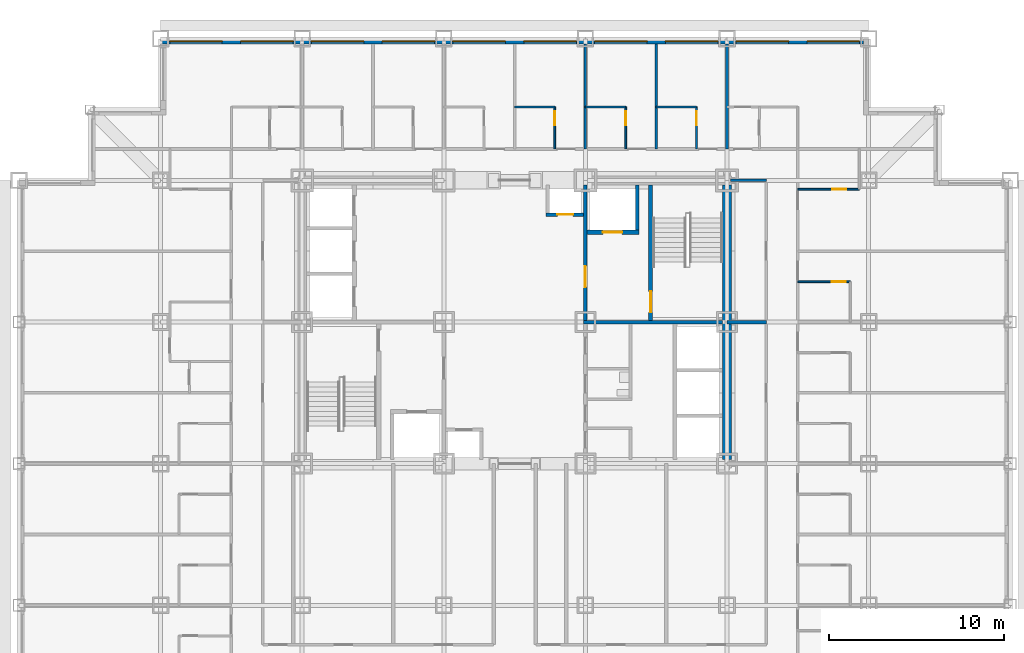
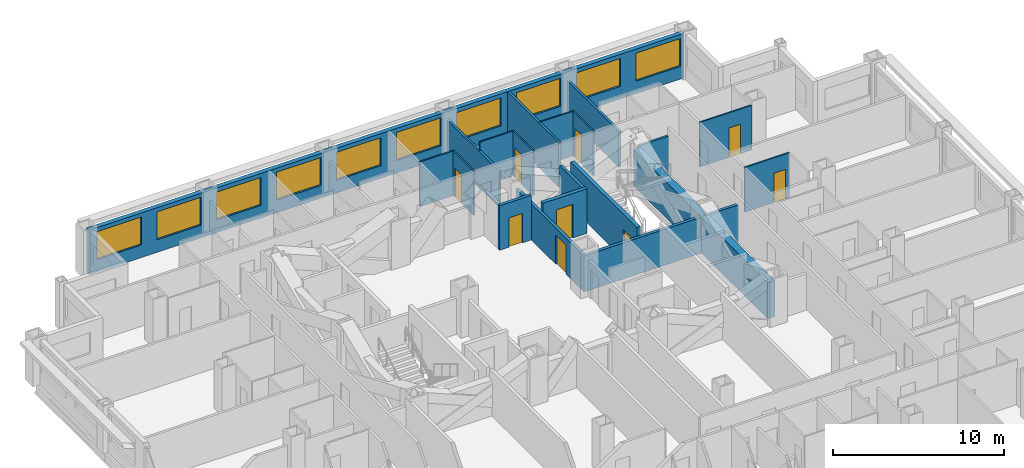
# One storey, part 9 of 12: 21 walls, 10 windows, 9 doors, 19 openings.
"""IFC4 building model written with IfcOpenShell, lengths in metres."""

from ifc_helpers import new_model, si_unit, direction, frame, frame_2d, origin, place, context, subcontext, project, spatial, rectangle, extrude, material, layer, layer_set, type_object, element, fill, save


model = new_model("IFC4")

# Units and contexts
model_context = context("Model", 3, precision=1e-05, world=origin(), true_north=direction((0.0, 1.0)))
body_context = subcontext(model_context, "Body", "Model", "MODEL_VIEW")
ifc_project = project(units=[si_unit("LENGTHUNIT", "METRE"), si_unit("AREAUNIT", "SQUARE_METRE"), si_unit("VOLUMEUNIT", "CUBIC_METRE"), si_unit("PLANEANGLEUNIT", "RADIAN"), si_unit("MASSUNIT", "GRAM", prefix="KILO")], contexts=[model_context])

# Site, building, storey
site_placement = place(None, origin())
site = spatial("IfcSite", under=ifc_project, at=site_placement, CompositionType="ELEMENT")
building_placement = place(site_placement, origin())
building = spatial("IfcBuilding", under=site, at=building_placement, Name="Kopane Lantern Tower", CompositionType="ELEMENT")
storey_placement = place(building_placement, frame((0.0, 0.0, 53.39990234375)))
storey = spatial("IfcBuildingStorey", under=building, at=storey_placement, Name="L12", CompositionType="ELEMENT", Elevation=53.39990234375)

# Wall
ifc_material_1 = material(Name="Moisture-resistant board on steel studs", Category="steel")
ifc_layer_1 = layer(ifc_material_1, 0.10009765625)
ifc_layer_set_1 = layer_set([ifc_layer_1], Name="BATHROOM WALL 100")
wall_type_1 = type_object("IfcWallType", Name="BATHROOM WALL 100", PredefinedType="PARTITIONING", material=ifc_layer_set_1)
wall_1_placement = place(storey_placement, frame((28.35009765625, 44.699951171875, 0.0), z_axis=(0.0, 0.0, 1.0), x_axis=(1.0, 0.0, 0.0)))
element("IfcWall", 1, at=wall_1_placement, inside=storey, type_object=wall_type_1, Name="Bathroom Wall 100 L12", PredefinedType="PARTITIONING", context=body_context, shape_type="SweptSolid", body=[
    extrude(rectangle(XDim=2.2998046875, YDim=0.10009765625, at=frame_2d((1.14990234375, 0.0))), origin(), (0.0, 0.0, 1.0), 3.190185546875),
])

# Wall, opening, door
wall_2_placement = place(storey_placement, frame((30.64990234375, 42.300048828125, 0.0), z_axis=(0.0, 0.0, 1.0), x_axis=(0.0, 1.0, 0.0)))
wall_2 = element("IfcWall", 2, at=wall_2_placement, inside=storey, type_object=wall_type_1, Name="Bathroom Wall 100 L12", PredefinedType="PARTITIONING", context=body_context, shape_type="SweptSolid", body=[
    extrude(rectangle(XDim=2.39990234375, YDim=0.10009765625, at=frame_2d((1.199951171875, 0.0))), origin(), (0.0, 0.0, 1.0), 3.190185546875),
])
opening_1_placement = place(wall_2_placement, frame((1.35009765625, 0.0, 0.0)))
opening_1 = element("IfcOpeningElement", 3, at=opening_1_placement, cuts=wall_2, Name="Opening L12-029", PredefinedType="OPENING", context=body_context, shape_type="SweptSolid", body=[
    extrude(rectangle(XDim=0.800048828125, YDim=2.10009765625, at=frame_2d((0.39990234375, 1.050048828125))), frame((0.0, 0.06005859375, 0.0), z_axis=(0.0, -1.0, 0.0), x_axis=(1.0, 0.0, 0.0)), (0.0, 0.0, 1.0), 0.1201171875),
])
ifc_material_2 = material(Name="Timber door set", Category="wood")
door_type_1 = type_object("IfcDoorType", Name="DOOR D2 800x2100", OperationType="SINGLE_SWING_LEFT", PredefinedType="DOOR", material=ifc_material_2)
door_1_placement = place(opening_1_placement, origin())
door_1 = element("IfcDoor", 4, at=door_1_placement, inside=storey, type_object=door_type_1, Name="Door L12-029", OperationType="SINGLE_SWING_RIGHT", OverallHeight=2.10009765625, OverallWidth=0.800048828125, PredefinedType="DOOR", context=body_context, shape_type="SweptSolid", body=[
    extrude(rectangle(XDim=0.800048828125, YDim=2.10009765625, at=frame_2d((0.39990234375, 1.050048828125))), frame((0.0, 0.02490234375, 0.0), z_axis=(0.0, -1.0, 0.0), x_axis=(1.0, 0.0, 0.0)), (0.0, 0.0, 1.0), 0.050048828125),
])
fill(opening_1, door_1)

# Wall
wall_3_placement = place(storey_placement, frame((32.39990234375, 44.699951171875, 0.0), z_axis=(0.0, 0.0, 1.0), x_axis=(1.0, 0.0, 0.0)))
element("IfcWall", 5, at=wall_3_placement, inside=storey, type_object=wall_type_1, Name="Bathroom Wall 100 L12", PredefinedType="PARTITIONING", context=body_context, shape_type="SweptSolid", body=[
    extrude(rectangle(XDim=2.300048828125, YDim=0.10009765625, at=frame_2d((1.14990234375, 0.0))), origin(), (0.0, 0.0, 1.0), 3.190185546875),
])

# Wall, opening, door
wall_4_placement = place(storey_placement, frame((34.699951171875, 42.300048828125, 0.0), z_axis=(0.0, 0.0, 1.0), x_axis=(0.0, 1.0, 0.0)))
wall_4 = element("IfcWall", 6, at=wall_4_placement, inside=storey, type_object=wall_type_1, Name="Bathroom Wall 100 L12", PredefinedType="PARTITIONING", context=body_context, shape_type="SweptSolid", body=[
    extrude(rectangle(XDim=2.39990234375, YDim=0.10009765625, at=frame_2d((1.199951171875, 0.0))), origin(), (0.0, 0.0, 1.0), 3.190185546875),
])
opening_2_placement = place(wall_4_placement, frame((1.35009765625, 0.0, 0.0)))
opening_2 = element("IfcOpeningElement", 7, at=opening_2_placement, cuts=wall_4, Name="Opening L12-031", PredefinedType="OPENING", context=body_context, shape_type="SweptSolid", body=[
    extrude(rectangle(XDim=0.800048828125, YDim=2.10009765625, at=frame_2d((0.39990234375, 1.050048828125))), frame((0.0, 0.06005859375, 0.0), z_axis=(0.0, -1.0, 0.0), x_axis=(1.0, 0.0, 0.0)), (0.0, 0.0, 1.0), 0.1201171875),
])
door_2_placement = place(opening_2_placement, origin())
door_2 = element("IfcDoor", 8, at=door_2_placement, inside=storey, type_object=door_type_1, Name="Door L12-031", OperationType="SINGLE_SWING_RIGHT", OverallHeight=2.10009765625, OverallWidth=0.800048828125, PredefinedType="DOOR", context=body_context, shape_type="SweptSolid", body=[
    extrude(rectangle(XDim=0.800048828125, YDim=2.10009765625, at=frame_2d((0.39990234375, 1.050048828125))), frame((0.0, 0.02490234375, 0.0), z_axis=(0.0, -1.0, 0.0), x_axis=(1.0, 0.0, 0.0)), (0.0, 0.0, 1.0), 0.050048828125),
])
fill(opening_2, door_2)

# Wall
wall_5_placement = place(storey_placement, frame((36.449951171875, 44.699951171875, 0.0), z_axis=(0.0, 0.0, 1.0), x_axis=(1.0, 0.0, 0.0)))
element("IfcWall", 9, at=wall_5_placement, inside=storey, type_object=wall_type_1, Name="Bathroom Wall 100 L12", PredefinedType="PARTITIONING", context=body_context, shape_type="SweptSolid", body=[
    extrude(rectangle(XDim=2.300048828125, YDim=0.10009765625, at=frame_2d((1.14990234375, 0.0))), origin(), (0.0, 0.0, 1.0), 3.190185546875),
])

# Wall, opening, door
wall_6_placement = place(storey_placement, frame((38.75, 42.300048828125, 0.0), z_axis=(0.0, 0.0, 1.0), x_axis=(0.0, 1.0, 0.0)))
wall_6 = element("IfcWall", 10, at=wall_6_placement, inside=storey, type_object=wall_type_1, Name="Bathroom Wall 100 L12", PredefinedType="PARTITIONING", context=body_context, shape_type="SweptSolid", body=[
    extrude(rectangle(XDim=2.39990234375, YDim=0.10009765625, at=frame_2d((1.199951171875, 0.0))), origin(), (0.0, 0.0, 1.0), 3.190185546875),
])
opening_3_placement = place(wall_6_placement, frame((1.35009765625, 0.0, 0.0)))
opening_3 = element("IfcOpeningElement", 11, at=opening_3_placement, cuts=wall_6, Name="Opening L12-033", PredefinedType="OPENING", context=body_context, shape_type="SweptSolid", body=[
    extrude(rectangle(XDim=0.800048828125, YDim=2.10009765625, at=frame_2d((0.39990234375, 1.050048828125))), frame((0.0, 0.06005859375, 0.0), z_axis=(0.0, -1.0, 0.0), x_axis=(1.0, 0.0, 0.0)), (0.0, 0.0, 1.0), 0.1201171875),
])
door_3_placement = place(opening_3_placement, origin())
door_3 = element("IfcDoor", 12, at=door_3_placement, inside=storey, type_object=door_type_1, Name="Door L12-033", OperationType="SINGLE_SWING_RIGHT", OverallHeight=2.10009765625, OverallWidth=0.800048828125, PredefinedType="DOOR", context=body_context, shape_type="SweptSolid", body=[
    extrude(rectangle(XDim=0.800048828125, YDim=2.10009765625, at=frame_2d((0.39990234375, 1.050048828125))), frame((0.0, 0.02490234375, 0.0), z_axis=(0.0, -1.0, 0.0), x_axis=(1.0, 0.0, 0.0)), (0.0, 0.0, 1.0), 0.050048828125),
])
fill(opening_3, door_3)

wall_7_placement = place(storey_placement, frame((44.550048828125, 34.699951171875, 0.0), z_axis=(0.0, 0.0, 1.0), x_axis=(1.0, 0.0, 0.0)))
wall_7 = element("IfcWall", 13, at=wall_7_placement, inside=storey, type_object=wall_type_1, Name="Bathroom Wall 100 L12", PredefinedType="PARTITIONING", context=body_context, shape_type="SweptSolid", body=[
    extrude(rectangle(XDim=3.0, YDim=0.10009765625, at=frame_2d((1.5, 0.0))), origin(), (0.0, 0.0, 1.0), 3.190185546875),
])
opening_4_placement = place(wall_7_placement, frame((1.949951171875, 0.0, 0.0)))
opening_4 = element("IfcOpeningElement", 14, at=opening_4_placement, cuts=wall_7, Name="Opening L12-058", PredefinedType="OPENING", context=body_context, shape_type="SweptSolid", body=[
    extrude(rectangle(XDim=0.800048828125, YDim=2.10009765625, at=frame_2d((0.39990234375, 1.050048828125))), frame((0.0, 0.06005859375, 0.0), z_axis=(0.0, -1.0, 0.0), x_axis=(1.0, 0.0, 0.0)), (0.0, 0.0, 1.0), 0.1201171875),
])
door_4_placement = place(opening_4_placement, origin())
door_4 = element("IfcDoor", 15, at=door_4_placement, inside=storey, type_object=door_type_1, Name="Door L12-058", OperationType="SINGLE_SWING_LEFT", OverallHeight=2.10009765625, OverallWidth=0.800048828125, PredefinedType="DOOR", context=body_context, shape_type="SweptSolid", body=[
    extrude(rectangle(XDim=0.800048828125, YDim=2.10009765625, at=frame_2d((0.39990234375, 1.050048828125))), frame((0.0, 0.02490234375, 0.0), z_axis=(0.0, -1.0, 0.0), x_axis=(1.0, 0.0, 0.0)), (0.0, 0.0, 1.0), 0.050048828125),
])
fill(opening_4, door_4)

wall_8_placement = place(storey_placement, frame((44.550048828125, 40.0, 0.0), z_axis=(0.0, 0.0, 1.0), x_axis=(1.0, 0.0, 0.0)))
wall_8 = element("IfcWall", 16, at=wall_8_placement, inside=storey, type_object=wall_type_1, Name="Bathroom Wall 100 L12", PredefinedType="PARTITIONING", context=body_context, shape_type="SweptSolid", body=[
    extrude(rectangle(XDim=3.514892578125, YDim=0.10009765625, at=frame_2d((1.75732421875, 0.0))), origin(), (0.0, 0.0, 1.0), 3.190185546875),
])
opening_5_placement = place(wall_8_placement, frame((1.965087890625, 0.0, 0.0)))
opening_5 = element("IfcOpeningElement", 17, at=opening_5_placement, cuts=wall_8, Name="Opening L12-060", PredefinedType="OPENING", context=body_context, shape_type="SweptSolid", body=[
    extrude(rectangle(XDim=0.800048828125, YDim=2.10009765625, at=frame_2d((0.39990234375, 1.050048828125))), frame((0.0, 0.06005859375, 0.0), z_axis=(0.0, -1.0, 0.0), x_axis=(1.0, 0.0, 0.0)), (0.0, 0.0, 1.0), 0.1201171875),
])
door_5_placement = place(opening_5_placement, origin())
door_5 = element("IfcDoor", 18, at=door_5_placement, inside=storey, type_object=door_type_1, Name="Door L12-060", OperationType="SINGLE_SWING_RIGHT", OverallHeight=2.10009765625, OverallWidth=0.800048828125, PredefinedType="DOOR", context=body_context, shape_type="SweptSolid", body=[
    extrude(rectangle(XDim=0.800048828125, YDim=2.10009765625, at=frame_2d((0.39990234375, 1.050048828125))), frame((0.0, 0.02490234375, 0.0), z_axis=(0.0, -1.0, 0.0), x_axis=(1.0, 0.0, 0.0)), (0.0, 0.0, 1.0), 0.050048828125),
])
fill(opening_5, door_5)

# Wall
ifc_material_3 = material(Name="Gypsum shaft wall EI 120", Category="gypsum")
ifc_layer_2 = layer(ifc_material_3, 0.5)
ifc_layer_set_2 = layer_set([ifc_layer_2], Name="CORE PERIMETER WALL 500 EI 120")
wall_type_2 = type_object("IfcWallType", Name="CORE PERIMETER WALL 500 EI 120", PredefinedType="SOLIDWALL", material=ifc_layer_set_2)
wall_9_placement = place(storey_placement, frame((40.5, 24.550048828125, 0.0), z_axis=(0.0, 0.0, 1.0), x_axis=(0.0, 1.0, 0.0)))
element("IfcWall", 19, at=wall_9_placement, inside=storey, type_object=wall_type_2, Name="Core shaft wall L12 PE", PredefinedType="SOLIDWALL", context=body_context, shape_type="SweptSolid", body=[
    extrude(rectangle(XDim=15.699951171875, YDim=0.5, at=frame_2d((7.85009765625, 0.0))), origin(), (0.0, 0.0, 1.0), 2.577880859375),
])

# Wall, opening, door
ifc_material_4 = material(Name="Gypsum shaft wall EI 120", Category="gypsum")
ifc_layer_3 = layer(ifc_material_4, 0.25)
ifc_layer_set_3 = layer_set([ifc_layer_3], Name="CORE SHAFT WALL 250 EI 120")
wall_type_3 = type_object("IfcWallType", Name="CORE SHAFT WALL 250 EI 120", PredefinedType="SOLIDWALL", material=ifc_layer_set_3)
wall_10_placement = place(storey_placement, frame((36.125, 32.5, 0.0), z_axis=(0.0, 0.0, 1.0), x_axis=(0.0, 1.0, 0.0)))
wall_10 = element("IfcWall", 20, at=wall_10_placement, inside=storey, type_object=wall_type_3, Name="Core shaft wall L12 XST2", PredefinedType="SOLIDWALL", context=body_context, shape_type="SweptSolid", body=[
    extrude(rectangle(XDim=7.75, YDim=0.25, at=frame_2d((3.875, 0.0))), origin(), (0.0, 0.0, 1.0), 3.190185546875),
])
opening_6_placement = place(wall_10_placement, frame((0.449951171875, 0.0, 0.0)))
opening_6 = element("IfcOpeningElement", 21, at=opening_6_placement, cuts=wall_10, Name="Opening 12.SD2", PredefinedType="OPENING", context=body_context, shape_type="SweptSolid", body=[
    extrude(rectangle(XDim=1.199951171875, YDim=2.10009765625, at=frame_2d((0.60009765625, 1.050048828125))), frame((0.0, 0.135009765625, 0.0), z_axis=(0.0, -1.0, 0.0), x_axis=(1.0, 0.0, 0.0)), (0.0, 0.0, 1.0), 0.27001953125),
])
ifc_material_5 = material(Name="Steel door set", Category="steel")
door_type_2 = type_object("IfcDoorType", Name="STAIR DOOR 1200x2100 FD60S", OperationType="SINGLE_SWING_LEFT", PredefinedType="DOOR", material=ifc_material_5)
door_6_placement = place(opening_6_placement, origin())
door_6 = element("IfcDoor", 22, at=door_6_placement, inside=storey, type_object=door_type_2, Name="Stair door ST2 L12", OperationType="SINGLE_SWING_RIGHT", OverallHeight=2.10009765625, OverallWidth=1.199951171875, PredefinedType="DOOR", context=body_context, shape_type="SweptSolid", body=[
    extrude(rectangle(XDim=1.199951171875, YDim=2.10009765625, at=frame_2d((0.60009765625, 1.050048828125))), frame((0.0, 0.02490234375, 0.0), z_axis=(0.0, -1.0, 0.0), x_axis=(1.0, 0.0, 0.0)), (0.0, 0.0, 1.0), 0.050048828125),
])
fill(opening_6, door_6)

wall_11_placement = place(storey_placement, frame((32.5, 37.52490234375, 0.0), z_axis=(0.0, 0.0, 1.0), x_axis=(1.0, 0.0, 0.0)))
wall_11 = element("IfcWall", 23, at=wall_11_placement, inside=storey, type_object=wall_type_3, Name="Core shaft wall L12 YLF2", PredefinedType="SOLIDWALL", context=body_context, shape_type="SweptSolid", body=[
    extrude(rectangle(XDim=2.949951171875, YDim=0.25, at=frame_2d((1.47509765625, 0.0))), origin(), (0.0, 0.0, 1.0), 3.190185546875),
])
opening_7_placement = place(wall_11_placement, frame((0.89990234375, 0.0, 0.0)))
opening_7 = element("IfcOpeningElement", 24, at=opening_7_placement, cuts=wall_11, Name="Opening 12.LD-LF2", PredefinedType="OPENING", context=body_context, shape_type="SweptSolid", body=[
    extrude(rectangle(XDim=1.10009765625, YDim=2.39990234375, at=frame_2d((0.550048828125, 1.199951171875))), frame((0.0, 0.135009765625, 0.0), z_axis=(0.0, -1.0, 0.0), x_axis=(1.0, 0.0, 0.0)), (0.0, 0.0, 1.0), 0.27001953125),
])
ifc_material_6 = material(Name="Steel door set", Category="steel")
door_type_3 = type_object("IfcDoorType", Name="LIFT LANDING DOOR 1100x2400 FD60", OperationType="DOUBLE_DOOR_SLIDING", PredefinedType="DOOR", material=ifc_material_6)
door_7_placement = place(opening_7_placement, origin())
door_7 = element("IfcDoor", 25, at=door_7_placement, inside=storey, type_object=door_type_3, Name="Landing door LF2 L12", OperationType="DOUBLE_DOOR_SLIDING", OverallHeight=2.39990234375, OverallWidth=1.10009765625, PredefinedType="DOOR", context=body_context, shape_type="SweptSolid", body=[
    extrude(rectangle(XDim=1.10009765625, YDim=2.39990234375, at=frame_2d((0.550048828125, 1.199951171875))), frame((0.0, 0.02490234375, 0.0), z_axis=(0.0, -1.0, 0.0), x_axis=(1.0, 0.0, 0.0)), (0.0, 0.0, 1.0), 0.050048828125),
])
fill(opening_7, door_7)

# Walls
ifc_material_7 = material(Name="Gypsum board on steel studs", Category="steel")
ifc_layer_4 = layer(ifc_material_7, 0.14990234375)
ifc_layer_set_4 = layer_set([ifc_layer_4], Name="CORRIDOR WALL 150 EI 60")
wall_type_4 = type_object("IfcWallType", Name="CORRIDOR WALL 150 EI 60", PredefinedType="PARTITIONING", material=ifc_layer_set_4)
wall_12_placement = place(storey_placement, frame((42.75, 40.5, 0.0), z_axis=(0.0, 0.0, 1.0), x_axis=(-1.0, 0.0, 0.0)))
element("IfcWall", 26, at=wall_12_placement, inside=storey, type_object=wall_type_4, Name="Corridor Wall 150 Ei 60 L12", PredefinedType="PARTITIONING", context=body_context, shape_type="SweptSolid", body=[
    extrude(rectangle(XDim=2.050048828125, YDim=0.14990234375, at=frame_2d((1.02490234375, 0.0))), origin(), (0.0, 0.0, 1.0), 2.577880859375),
])
ifc_material_8 = material(Name="Gypsum board on steel studs", Category="steel")
ifc_layer_5 = layer(ifc_material_8, 0.14990234375)
ifc_layer_set_5 = layer_set([ifc_layer_5], Name="DEMISING WALL 150 EI 60")
wall_type_5 = type_object("IfcWallType", Name="DEMISING WALL 150 EI 60", PredefinedType="PARTITIONING", material=ifc_layer_set_5)
wall_13_placement = place(storey_placement, frame((32.39990234375, 42.300048828125, 0.0), z_axis=(0.0, 0.0, 1.0), x_axis=(0.0, 1.0, 0.0)))
element("IfcWall", 27, at=wall_13_placement, inside=storey, type_object=wall_type_5, Name="Demising Wall 150 Ei 60 L12", PredefinedType="PARTITIONING", context=body_context, shape_type="SweptSolid", body=[
    extrude(rectangle(XDim=6.0, YDim=0.14990234375, at=frame_2d((3.0, 0.0))), origin(), (0.0, 0.0, 1.0), 2.577880859375),
])
wall_14_placement = place(storey_placement, frame((36.449951171875, 42.300048828125, 0.0), z_axis=(0.0, 0.0, 1.0), x_axis=(0.0, 1.0, 0.0)))
element("IfcWall", 28, at=wall_14_placement, inside=storey, type_object=wall_type_5, Name="Demising Wall 150 Ei 60 L12", PredefinedType="PARTITIONING", context=body_context, shape_type="SweptSolid", body=[
    extrude(rectangle(XDim=6.0, YDim=0.14990234375, at=frame_2d((3.0, 0.0))), origin(), (0.0, 0.0, 1.0), 3.190185546875),
])
wall_15_placement = place(storey_placement, frame((40.5, 42.300048828125, 0.0), z_axis=(0.0, 0.0, 1.0), x_axis=(0.0, 1.0, 0.0)))
element("IfcWall", 29, at=wall_15_placement, inside=storey, type_object=wall_type_5, Name="Demising Wall 150 Ei 60 L12", PredefinedType="PARTITIONING", context=body_context, shape_type="SweptSolid", body=[
    extrude(rectangle(XDim=6.0, YDim=0.14990234375, at=frame_2d((3.0, 0.0))), origin(), (0.0, 0.0, 1.0), 2.577880859375),
])

# Wall, openings, windows
ifc_material_9 = material(Name="Terracotta rainscreen on light steel framing", Category="masonry")
ifc_layer_6 = layer(ifc_material_9, 0.300048828125)
ifc_layer_set_6 = layer_set([ifc_layer_6], Name="EXTERNAL WALL EW1 300 TERRACOTTA")
wall_type_6 = type_object("IfcWallType", Name="EXTERNAL WALL EW1 300 TERRACOTTA", PredefinedType="SOLIDWALL", material=ifc_layer_set_6)
wall_16_placement = place(storey_placement, frame((48.300048828125, 48.449951171875, 0.0), z_axis=(0.0, 0.0, 1.0), x_axis=(-1.0, 0.0, 0.0)))
wall_16 = element("IfcWall", 30, at=wall_16_placement, inside=storey, type_object=wall_type_6, Name="External wall N L12", PredefinedType="SOLIDWALL", context=body_context, shape_type="SweptSolid", body=[
    extrude(rectangle(XDim=40.199951171875, YDim=0.300048828125, at=frame_2d((20.10009765625, 0.0))), origin(), (0.0, 0.0, 1.0), 3.190185546875),
])
opening_8_placement = place(wall_16_placement, frame((0.22509765625, 0.0, 0.89990234375)))
opening_8 = element("IfcOpeningElement", 31, at=opening_8_placement, cuts=wall_16, Name="Opening WR300200", PredefinedType="OPENING", context=body_context, shape_type="SweptSolid", body=[
    extrude(rectangle(XDim=3.0, YDim=2.0, at=frame_2d((1.5, 1.0))), frame((0.0, 0.159912109375, 0.0), z_axis=(0.0, -1.0, 0.0), x_axis=(1.0, 0.0, 0.0)), (0.0, 0.0, 1.0), 0.320068359375),
])
opening_9_placement = place(wall_16_placement, frame((4.27490234375, 0.0, 0.89990234375)))
opening_9 = element("IfcOpeningElement", 32, at=opening_9_placement, cuts=wall_16, Name="Opening WR300200", PredefinedType="OPENING", context=body_context, shape_type="SweptSolid", body=[
    extrude(rectangle(XDim=3.0, YDim=2.0, at=frame_2d((1.5, 1.0))), frame((0.0, 0.159912109375, 0.0), z_axis=(0.0, -1.0, 0.0), x_axis=(1.0, 0.0, 0.0)), (0.0, 0.0, 1.0), 0.320068359375),
])
opening_10_placement = place(wall_16_placement, frame((8.324951171875, 0.0, 0.89990234375)))
opening_10 = element("IfcOpeningElement", 33, at=opening_10_placement, cuts=wall_16, Name="Opening WR300200", PredefinedType="OPENING", context=body_context, shape_type="SweptSolid", body=[
    extrude(rectangle(XDim=3.0, YDim=2.0, at=frame_2d((1.5, 1.0))), frame((0.0, 0.159912109375, 0.0), z_axis=(0.0, -1.0, 0.0), x_axis=(1.0, 0.0, 0.0)), (0.0, 0.0, 1.0), 0.320068359375),
])
opening_11_placement = place(wall_16_placement, frame((12.375, 0.0, 0.89990234375)))
opening_11 = element("IfcOpeningElement", 34, at=opening_11_placement, cuts=wall_16, Name="Opening WR300200", PredefinedType="OPENING", context=body_context, shape_type="SweptSolid", body=[
    extrude(rectangle(XDim=3.0, YDim=2.0, at=frame_2d((1.5, 1.0))), frame((0.0, 0.159912109375, 0.0), z_axis=(0.0, -1.0, 0.0), x_axis=(1.0, 0.0, 0.0)), (0.0, 0.0, 1.0), 0.320068359375),
])
opening_12_placement = place(wall_16_placement, frame((16.425048828125, 0.0, 0.89990234375)))
opening_12 = element("IfcOpeningElement", 35, at=opening_12_placement, cuts=wall_16, Name="Opening WR300200", PredefinedType="OPENING", context=body_context, shape_type="SweptSolid", body=[
    extrude(rectangle(XDim=3.0, YDim=2.0, at=frame_2d((1.5, 1.0))), frame((0.0, 0.159912109375, 0.0), z_axis=(0.0, -1.0, 0.0), x_axis=(1.0, 0.0, 0.0)), (0.0, 0.0, 1.0), 0.320068359375),
])
opening_13_placement = place(wall_16_placement, frame((20.47509765625, 0.0, 0.89990234375)))
opening_13 = element("IfcOpeningElement", 36, at=opening_13_placement, cuts=wall_16, Name="Opening WR300200", PredefinedType="OPENING", context=body_context, shape_type="SweptSolid", body=[
    extrude(rectangle(XDim=3.0, YDim=2.0, at=frame_2d((1.5, 1.0))), frame((0.0, 0.159912109375, 0.0), z_axis=(0.0, -1.0, 0.0), x_axis=(1.0, 0.0, 0.0)), (0.0, 0.0, 1.0), 0.320068359375),
])
opening_14_placement = place(wall_16_placement, frame((24.52490234375, 0.0, 0.89990234375)))
opening_14 = element("IfcOpeningElement", 37, at=opening_14_placement, cuts=wall_16, Name="Opening WR300200", PredefinedType="OPENING", context=body_context, shape_type="SweptSolid", body=[
    extrude(rectangle(XDim=3.0, YDim=2.0, at=frame_2d((1.5, 1.0))), frame((0.0, 0.159912109375, 0.0), z_axis=(0.0, -1.0, 0.0), x_axis=(1.0, 0.0, 0.0)), (0.0, 0.0, 1.0), 0.320068359375),
])
opening_15_placement = place(wall_16_placement, frame((28.574951171875, 0.0, 0.89990234375)))
opening_15 = element("IfcOpeningElement", 38, at=opening_15_placement, cuts=wall_16, Name="Opening WR300200", PredefinedType="OPENING", context=body_context, shape_type="SweptSolid", body=[
    extrude(rectangle(XDim=3.0, YDim=2.0, at=frame_2d((1.5, 1.0))), frame((0.0, 0.159912109375, 0.0), z_axis=(0.0, -1.0, 0.0), x_axis=(1.0, 0.0, 0.0)), (0.0, 0.0, 1.0), 0.320068359375),
])
opening_16_placement = place(wall_16_placement, frame((32.625, 0.0, 0.89990234375)))
opening_16 = element("IfcOpeningElement", 39, at=opening_16_placement, cuts=wall_16, Name="Opening WR300200", PredefinedType="OPENING", context=body_context, shape_type="SweptSolid", body=[
    extrude(rectangle(XDim=3.0, YDim=2.0, at=frame_2d((1.5, 1.0))), frame((0.0, 0.159912109375, 0.0), z_axis=(0.0, -1.0, 0.0), x_axis=(1.0, 0.0, 0.0)), (0.0, 0.0, 1.0), 0.320068359375),
])
opening_17_placement = place(wall_16_placement, frame((36.675048828125, 0.0, 0.89990234375)))
opening_17 = element("IfcOpeningElement", 40, at=opening_17_placement, cuts=wall_16, Name="Opening WR300200", PredefinedType="OPENING", context=body_context, shape_type="SweptSolid", body=[
    extrude(rectangle(XDim=3.0, YDim=2.0, at=frame_2d((1.5, 1.0))), frame((0.0, 0.159912109375, 0.0), z_axis=(0.0, -1.0, 0.0), x_axis=(1.0, 0.0, 0.0)), (0.0, 0.0, 1.0), 0.320068359375),
])
ifc_material_10 = material(Name="Aluminium and clear glass", Category="aluminium")
window_type = type_object("IfcWindowType", Name="RIBBON WINDOW WR300200 3000x2000", PartitioningType="SINGLE_PANEL", PredefinedType="WINDOW", material=ifc_material_10)
window_1_placement = place(opening_8_placement, origin())
window_1 = element("IfcWindow", 41, at=window_1_placement, inside=storey, type_object=window_type, Name="Window N L12", OverallHeight=2.0, OverallWidth=3.0, PartitioningType="SINGLE_PANEL", PredefinedType="WINDOW", context=body_context, shape_type="SweptSolid", body=[
    extrude(rectangle(XDim=3.0, YDim=2.0, at=frame_2d((1.5, 1.0))), frame((0.0, 0.030029296875, 0.0), z_axis=(0.0, -1.0, 0.0), x_axis=(1.0, 0.0, 0.0)), (0.0, 0.0, 1.0), 0.06005859375),
])
fill(opening_8, window_1)
window_2_placement = place(opening_9_placement, origin())
window_2 = element("IfcWindow", 42, at=window_2_placement, inside=storey, type_object=window_type, Name="Window N L12", OverallHeight=2.0, OverallWidth=3.0, PartitioningType="SINGLE_PANEL", PredefinedType="WINDOW", context=body_context, shape_type="SweptSolid", body=[
    extrude(rectangle(XDim=3.0, YDim=2.0, at=frame_2d((1.5, 1.0))), frame((0.0, 0.030029296875, 0.0), z_axis=(0.0, -1.0, 0.0), x_axis=(1.0, 0.0, 0.0)), (0.0, 0.0, 1.0), 0.06005859375),
])
fill(opening_9, window_2)
window_3_placement = place(opening_10_placement, origin())
window_3 = element("IfcWindow", 43, at=window_3_placement, inside=storey, type_object=window_type, Name="Window N L12", OverallHeight=2.0, OverallWidth=3.0, PartitioningType="SINGLE_PANEL", PredefinedType="WINDOW", context=body_context, shape_type="SweptSolid", body=[
    extrude(rectangle(XDim=3.0, YDim=2.0, at=frame_2d((1.5, 1.0))), frame((0.0, 0.030029296875, 0.0), z_axis=(0.0, -1.0, 0.0), x_axis=(1.0, 0.0, 0.0)), (0.0, 0.0, 1.0), 0.06005859375),
])
fill(opening_10, window_3)
window_4_placement = place(opening_11_placement, origin())
window_4 = element("IfcWindow", 44, at=window_4_placement, inside=storey, type_object=window_type, Name="Window N L12", OverallHeight=2.0, OverallWidth=3.0, PartitioningType="SINGLE_PANEL", PredefinedType="WINDOW", context=body_context, shape_type="SweptSolid", body=[
    extrude(rectangle(XDim=3.0, YDim=2.0, at=frame_2d((1.5, 1.0))), frame((0.0, 0.030029296875, 0.0), z_axis=(0.0, -1.0, 0.0), x_axis=(1.0, 0.0, 0.0)), (0.0, 0.0, 1.0), 0.06005859375),
])
fill(opening_11, window_4)
window_5_placement = place(opening_12_placement, origin())
window_5 = element("IfcWindow", 45, at=window_5_placement, inside=storey, type_object=window_type, Name="Window N L12", OverallHeight=2.0, OverallWidth=3.0, PartitioningType="SINGLE_PANEL", PredefinedType="WINDOW", context=body_context, shape_type="SweptSolid", body=[
    extrude(rectangle(XDim=3.0, YDim=2.0, at=frame_2d((1.5, 1.0))), frame((0.0, 0.030029296875, 0.0), z_axis=(0.0, -1.0, 0.0), x_axis=(1.0, 0.0, 0.0)), (0.0, 0.0, 1.0), 0.06005859375),
])
fill(opening_12, window_5)
window_6_placement = place(opening_13_placement, origin())
window_6 = element("IfcWindow", 46, at=window_6_placement, inside=storey, type_object=window_type, Name="Window N L12", OverallHeight=2.0, OverallWidth=3.0, PartitioningType="SINGLE_PANEL", PredefinedType="WINDOW", context=body_context, shape_type="SweptSolid", body=[
    extrude(rectangle(XDim=3.0, YDim=2.0, at=frame_2d((1.5, 1.0))), frame((0.0, 0.030029296875, 0.0), z_axis=(0.0, -1.0, 0.0), x_axis=(1.0, 0.0, 0.0)), (0.0, 0.0, 1.0), 0.06005859375),
])
fill(opening_13, window_6)
window_7_placement = place(opening_14_placement, origin())
window_7 = element("IfcWindow", 47, at=window_7_placement, inside=storey, type_object=window_type, Name="Window N L12", OverallHeight=2.0, OverallWidth=3.0, PartitioningType="SINGLE_PANEL", PredefinedType="WINDOW", context=body_context, shape_type="SweptSolid", body=[
    extrude(rectangle(XDim=3.0, YDim=2.0, at=frame_2d((1.5, 1.0))), frame((0.0, 0.030029296875, 0.0), z_axis=(0.0, -1.0, 0.0), x_axis=(1.0, 0.0, 0.0)), (0.0, 0.0, 1.0), 0.06005859375),
])
fill(opening_14, window_7)
window_8_placement = place(opening_15_placement, origin())
window_8 = element("IfcWindow", 48, at=window_8_placement, inside=storey, type_object=window_type, Name="Window N L12", OverallHeight=2.0, OverallWidth=3.0, PartitioningType="SINGLE_PANEL", PredefinedType="WINDOW", context=body_context, shape_type="SweptSolid", body=[
    extrude(rectangle(XDim=3.0, YDim=2.0, at=frame_2d((1.5, 1.0))), frame((0.0, 0.030029296875, 0.0), z_axis=(0.0, -1.0, 0.0), x_axis=(1.0, 0.0, 0.0)), (0.0, 0.0, 1.0), 0.06005859375),
])
fill(opening_15, window_8)
window_9_placement = place(opening_16_placement, origin())
window_9 = element("IfcWindow", 49, at=window_9_placement, inside=storey, type_object=window_type, Name="Window N L12", OverallHeight=2.0, OverallWidth=3.0, PartitioningType="SINGLE_PANEL", PredefinedType="WINDOW", context=body_context, shape_type="SweptSolid", body=[
    extrude(rectangle(XDim=3.0, YDim=2.0, at=frame_2d((1.5, 1.0))), frame((0.0, 0.030029296875, 0.0), z_axis=(0.0, -1.0, 0.0), x_axis=(1.0, 0.0, 0.0)), (0.0, 0.0, 1.0), 0.06005859375),
])
fill(opening_16, window_9)
window_10_placement = place(opening_17_placement, origin())
window_10 = element("IfcWindow", 50, at=window_10_placement, inside=storey, type_object=window_type, Name="Window N L12", OverallHeight=2.0, OverallWidth=3.0, PartitioningType="SINGLE_PANEL", PredefinedType="WINDOW", context=body_context, shape_type="SweptSolid", body=[
    extrude(rectangle(XDim=3.0, YDim=2.0, at=frame_2d((1.5, 1.0))), frame((0.0, 0.030029296875, 0.0), z_axis=(0.0, -1.0, 0.0), x_axis=(1.0, 0.0, 0.0)), (0.0, 0.0, 1.0), 0.06005859375),
])
fill(opening_17, window_10)

# Walls
ifc_material_11 = material(Name="Concrete masonry", Category="masonry")
ifc_layer_7 = layer(ifc_material_11, 0.199951171875)
ifc_layer_set_7 = layer_set([ifc_layer_7], Name="PLANT ROOM WALL 200 EI 120")
wall_type_7 = type_object("IfcWallType", Name="PLANT ROOM WALL 200 EI 120", PredefinedType="SOLIDWALL", material=ifc_layer_set_7)
wall_17_placement = place(storey_placement, frame((40.5, 32.39990234375, 0.0), z_axis=(0.0, 0.0, 1.0), x_axis=(1.0, 0.0, 0.0)))
element("IfcWall", 51, at=wall_17_placement, inside=storey, type_object=wall_type_7, Name="Plant Room Wall 200 Ei 120 L12", PredefinedType="SOLIDWALL", context=body_context, shape_type="SweptSolid", body=[
    extrude(rectangle(XDim=2.25, YDim=0.199951171875, at=frame_2d((1.125, 0.0))), origin(), (0.0, 0.0, 1.0), 2.577880859375),
])
ifc_material_12 = material(Name="Gypsum shaft wall EI 120", Category="gypsum")
ifc_layer_8 = layer(ifc_material_12, 0.199951171875)
ifc_layer_set_8 = layer_set([ifc_layer_8], Name="SHAFT WALL 200 EI 120")
wall_type_8 = type_object("IfcWallType", Name="SHAFT WALL 200 EI 120", PredefinedType="SOLIDWALL", material=ifc_layer_set_8)
wall_18_placement = place(storey_placement, frame((32.300048828125, 32.39990234375, 0.0), z_axis=(0.0, 0.0, 1.0), x_axis=(1.0, 0.0, 0.0)))
element("IfcWall", 52, at=wall_18_placement, inside=storey, type_object=wall_type_8, Name="Core shaft wall L12 Y324E", PredefinedType="SOLIDWALL", context=body_context, shape_type="SweptSolid", body=[
    extrude(rectangle(XDim=7.949951171875, YDim=0.199951171875, at=frame_2d((3.97509765625, 0.0))), origin(), (0.0, 0.0, 1.0), 2.577880859375),
])

# Wall, opening, door
wall_19_placement = place(storey_placement, frame((32.39990234375, 32.5, 0.0), z_axis=(0.0, 0.0, 1.0), x_axis=(0.0, 1.0, 0.0)))
wall_19 = element("IfcWall", 53, at=wall_19_placement, inside=storey, type_object=wall_type_8, Name="Core shaft wall L12 X324", PredefinedType="SOLIDWALL", context=body_context, shape_type="SweptSolid", body=[
    extrude(rectangle(XDim=7.75, YDim=0.199951171875, at=frame_2d((3.875, 0.0))), origin(), (0.0, 0.0, 1.0), 2.577880859375),
])
opening_18_placement = place(wall_19_placement, frame((1.89990234375, 0.0, 0.0)))
opening_18 = element("IfcOpeningElement", 54, at=opening_18_placement, cuts=wall_19, Name="Opening 12.FL2", PredefinedType="OPENING", context=body_context, shape_type="SweptSolid", body=[
    extrude(rectangle(XDim=1.199951171875, YDim=2.10009765625, at=frame_2d((0.60009765625, 1.050048828125))), frame((0.0, 0.10986328125, 0.0), z_axis=(0.0, -1.0, 0.0), x_axis=(1.0, 0.0, 0.0)), (0.0, 0.0, 1.0), 0.219970703125),
])
ifc_material_13 = material(Name="Steel door set", Category="steel")
door_type_4 = type_object("IfcDoorType", Name="FIREFIGHTING LOBBY DOOR 1200x2100 FD60S", OperationType="SINGLE_SWING_RIGHT", PredefinedType="DOOR", material=ifc_material_13)
door_8_placement = place(opening_18_placement, origin())
door_8 = element("IfcDoor", 55, at=door_8_placement, inside=storey, type_object=door_type_4, Name="Firefighting lobby door FL2 L12", OperationType="SINGLE_SWING_LEFT", OverallHeight=2.10009765625, OverallWidth=1.199951171875, PredefinedType="DOOR", context=body_context, shape_type="SweptSolid", body=[
    extrude(rectangle(XDim=1.199951171875, YDim=2.10009765625, at=frame_2d((0.60009765625, 1.050048828125))), frame((0.0, 0.02490234375, 0.0), z_axis=(0.0, -1.0, 0.0), x_axis=(1.0, 0.0, 0.0)), (0.0, 0.0, 1.0), 0.050048828125),
])
fill(opening_18, door_8)

# Wall
wall_20_placement = place(storey_placement, frame((35.35009765625, 37.64990234375, 0.0), z_axis=(0.0, 0.0, 1.0), x_axis=(0.0, 1.0, 0.0)))
element("IfcWall", 56, at=wall_20_placement, inside=storey, type_object=wall_type_8, Name="Core shaft wall L12 XLF2", PredefinedType="SOLIDWALL", context=body_context, shape_type="SweptSolid", body=[
    extrude(rectangle(XDim=2.60009765625, YDim=0.199951171875, at=frame_2d((1.300048828125, 0.0))), origin(), (0.0, 0.0, 1.0), 3.190185546875),
])

# Wall, opening, door
wall_21_placement = place(storey_placement, frame((30.14990234375, 38.550048828125, 0.0), z_axis=(0.0, 0.0, 1.0), x_axis=(1.0, 0.0, 0.0)))
wall_21 = element("IfcWall", 57, at=wall_21_placement, inside=storey, type_object=wall_type_8, Name="Core shaft wall L12 YRS2", PredefinedType="SOLIDWALL", context=body_context, shape_type="SweptSolid", body=[
    extrude(rectangle(XDim=2.150146484375, YDim=0.199951171875, at=frame_2d((1.0751953125, 0.0))), origin(), (0.0, 0.0, 1.0), 3.190185546875),
])
opening_19_placement = place(wall_21_placement, frame((0.64990234375, 0.0, 0.0)))
opening_19 = element("IfcOpeningElement", 58, at=opening_19_placement, cuts=wall_21, Name="Opening 12.RS2", PredefinedType="OPENING", context=body_context, shape_type="SweptSolid", body=[
    extrude(rectangle(XDim=0.89990234375, YDim=2.10009765625, at=frame_2d((0.449951171875, 1.050048828125))), frame((0.0, 0.10986328125, 0.0), z_axis=(0.0, -1.0, 0.0), x_axis=(1.0, 0.0, 0.0)), (0.0, 0.0, 1.0), 0.219970703125),
])
ifc_material_14 = material(Name="Steel door set", Category="steel")
door_type_5 = type_object("IfcDoorType", Name="RISER ACCESS DOOR 900x2100 FD60", OperationType="SINGLE_SWING_LEFT", PredefinedType="DOOR", material=ifc_material_14)
door_9_placement = place(opening_19_placement, origin())
door_9 = element("IfcDoor", 59, at=door_9_placement, inside=storey, type_object=door_type_5, Name="Riser access door RS2 L12", OperationType="SINGLE_SWING_LEFT", OverallHeight=2.10009765625, OverallWidth=0.89990234375, PredefinedType="DOOR", context=body_context, shape_type="SweptSolid", body=[
    extrude(rectangle(XDim=0.89990234375, YDim=2.10009765625, at=frame_2d((0.449951171875, 1.050048828125))), frame((0.0, 0.02490234375, 0.0), z_axis=(0.0, -1.0, 0.0), x_axis=(1.0, 0.0, 0.0)), (0.0, 0.0, 1.0), 0.050048828125),
])
fill(opening_19, door_9)

save(model, "model.ifc")
